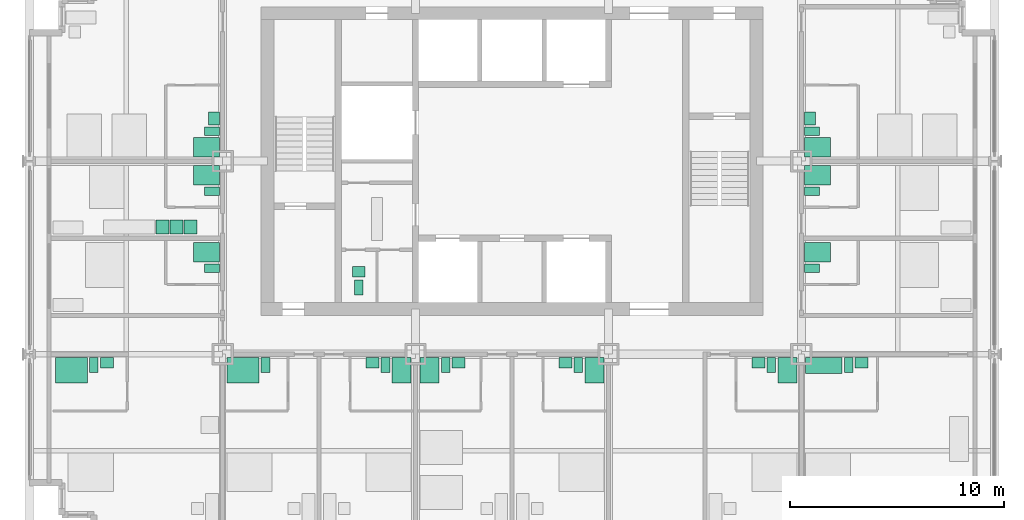
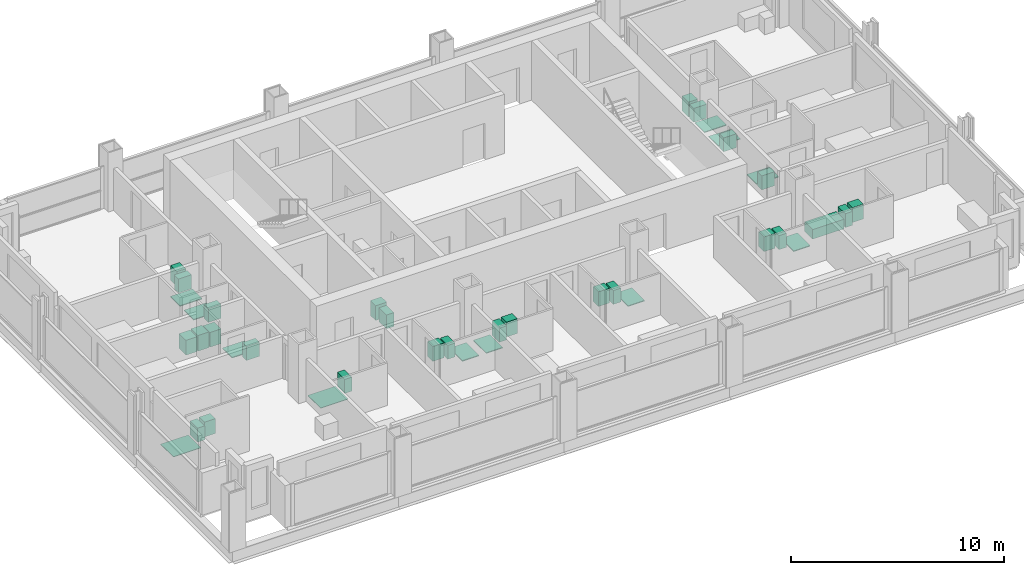
# One storey, part 12 of 13: 36 sanitary terminals, 3 electric appliances.
"""IFC4 building model written with IfcOpenShell, lengths in metres."""

from ifc_helpers import new_model, si_unit, direction, frame, origin, origin_2d, place, context, subcontext, project, spatial, rectangle, extrude, element, save


model = new_model("IFC4")

# Units and contexts
model_context = context("Model", 3, precision=1e-05, world=origin(), true_north=direction((0.0, 1.0)))
body_context = subcontext(model_context, "Body", "Model", "MODEL_VIEW")
ifc_project = project(units=[si_unit("LENGTHUNIT", "METRE"), si_unit("AREAUNIT", "SQUARE_METRE"), si_unit("VOLUMEUNIT", "CUBIC_METRE"), si_unit("PLANEANGLEUNIT", "RADIAN"), si_unit("MASSUNIT", "GRAM", prefix="KILO")], contexts=[model_context])

# Site, building, storey
site_placement = place(None, origin())
site = spatial("IfcSite", under=ifc_project, at=site_placement, CompositionType="ELEMENT")
building_placement = place(site_placement, origin())
building = spatial("IfcBuilding", under=site, at=building_placement, Name="Loomwork Tower", CompositionType="ELEMENT")
storey_placement = place(building_placement, frame((0.0, 0.0, 163.800048828125)))
storey = spatial("IfcBuildingStorey", under=building, at=storey_placement, Name="L44", CompositionType="ELEMENT", Elevation=163.800048828125)

# Sanitary terminals
sanitary_terminal_1_placement = place(storey_placement, frame((1.949951171875, 8.25, 0.0), z_axis=(0.0, 0.0, 1.0), x_axis=(1.0, 0.0, 0.0)))
element("IfcSanitaryTerminal", 1, at=sanitary_terminal_1_placement, inside=storey, Name="Roll-in shower floor L44", PredefinedType="SHOWER", context=body_context, shape_type="SweptSolid", body=[
    extrude(rectangle(XDim=1.5, YDim=1.199951171875, at=origin_2d()), origin(), (0.0, 0.0, 1.0), 0.030029296875),
])
sanitary_terminal_2_placement = place(storey_placement, frame((3.0, 8.5, 0.0), z_axis=(0.0, 0.0, 1.0), x_axis=(1.0, 0.0, 0.0)))
element("IfcSanitaryTerminal", 2, at=sanitary_terminal_2_placement, inside=storey, Name="WC L44", PredefinedType="TOILETPAN", context=body_context, shape_type="SweptSolid", body=[
    extrude(rectangle(XDim=0.39990234375, YDim=0.699951171875, at=origin_2d()), origin(), (0.0, 0.0, 1.0), 0.800048828125),
])
sanitary_terminal_3_placement = place(storey_placement, frame((3.60009765625, 8.60009765625, 0.0), z_axis=(0.0, 0.0, 1.0), x_axis=(1.0, 0.0, 0.0)))
element("IfcSanitaryTerminal", 3, at=sanitary_terminal_3_placement, inside=storey, Name="Basin vanity L44", PredefinedType="WASHHANDBASIN", context=body_context, shape_type="SweptSolid", body=[
    extrude(rectangle(XDim=0.60009765625, YDim=0.5, at=origin_2d()), origin(), (0.0, 0.0, 1.0), 0.85009765625),
])
sanitary_terminal_4_placement = place(storey_placement, frame((9.949951171875, 8.25, 0.0), z_axis=(0.0, 0.0, 1.0), x_axis=(1.0, 0.0, 0.0)))
element("IfcSanitaryTerminal", 4, at=sanitary_terminal_4_placement, inside=storey, Name="Roll-in shower floor L44", PredefinedType="SHOWER", context=body_context, shape_type="SweptSolid", body=[
    extrude(rectangle(XDim=1.5, YDim=1.199951171875, at=origin_2d()), origin(), (0.0, 0.0, 1.0), 0.030029296875),
])
sanitary_terminal_5_placement = place(storey_placement, frame((11.0, 8.5, 0.0), z_axis=(0.0, 0.0, 1.0), x_axis=(1.0, 0.0, 0.0)))
element("IfcSanitaryTerminal", 5, at=sanitary_terminal_5_placement, inside=storey, Name="WC L44", PredefinedType="TOILETPAN", context=body_context, shape_type="SweptSolid", body=[
    extrude(rectangle(XDim=0.39990234375, YDim=0.699951171875, at=origin_2d()), origin(), (0.0, 0.0, 1.0), 0.800048828125),
])
sanitary_terminal_6_placement = place(storey_placement, frame((17.35009765625, 8.25, 0.0), z_axis=(0.0, 0.0, 1.0), x_axis=(1.0, 0.0, 0.0)))
element("IfcSanitaryTerminal", 6, at=sanitary_terminal_6_placement, inside=storey, Name="Shower tray L44", PredefinedType="SHOWER", context=body_context, shape_type="SweptSolid", body=[
    extrude(rectangle(XDim=0.89990234375, YDim=1.199951171875, at=origin_2d()), origin(), (0.0, 0.0, 1.0), 0.050048828125),
])
sanitary_terminal_7_placement = place(storey_placement, frame((16.60009765625, 8.5, 0.0), z_axis=(0.0, 0.0, 1.0), x_axis=(1.0, 0.0, 0.0)))
element("IfcSanitaryTerminal", 7, at=sanitary_terminal_7_placement, inside=storey, Name="WC L44", PredefinedType="TOILETPAN", context=body_context, shape_type="SweptSolid", body=[
    extrude(rectangle(XDim=0.39990234375, YDim=0.699951171875, at=origin_2d()), origin(), (0.0, 0.0, 1.0), 0.800048828125),
])
sanitary_terminal_8_placement = place(storey_placement, frame((16.0, 8.60009765625, 0.0), z_axis=(0.0, 0.0, 1.0), x_axis=(1.0, 0.0, 0.0)))
element("IfcSanitaryTerminal", 8, at=sanitary_terminal_8_placement, inside=storey, Name="Basin vanity L44", PredefinedType="WASHHANDBASIN", context=body_context, shape_type="SweptSolid", body=[
    extrude(rectangle(XDim=0.60009765625, YDim=0.5, at=origin_2d()), origin(), (0.0, 0.0, 1.0), 0.85009765625),
])
sanitary_terminal_9_placement = place(storey_placement, frame((18.64990234375, 8.25, 0.0), z_axis=(0.0, 0.0, 1.0), x_axis=(1.0, 0.0, 0.0)))
element("IfcSanitaryTerminal", 9, at=sanitary_terminal_9_placement, inside=storey, Name="Shower tray L44", PredefinedType="SHOWER", context=body_context, shape_type="SweptSolid", body=[
    extrude(rectangle(XDim=0.89990234375, YDim=1.199951171875, at=origin_2d()), origin(), (0.0, 0.0, 1.0), 0.050048828125),
])
sanitary_terminal_10_placement = place(storey_placement, frame((19.39990234375, 8.5, 0.0), z_axis=(0.0, 0.0, 1.0), x_axis=(1.0, 0.0, 0.0)))
element("IfcSanitaryTerminal", 10, at=sanitary_terminal_10_placement, inside=storey, Name="WC L44", PredefinedType="TOILETPAN", context=body_context, shape_type="SweptSolid", body=[
    extrude(rectangle(XDim=0.39990234375, YDim=0.699951171875, at=origin_2d()), origin(), (0.0, 0.0, 1.0), 0.800048828125),
])
sanitary_terminal_11_placement = place(storey_placement, frame((20.0, 8.60009765625, 0.0), z_axis=(0.0, 0.0, 1.0), x_axis=(1.0, 0.0, 0.0)))
element("IfcSanitaryTerminal", 11, at=sanitary_terminal_11_placement, inside=storey, Name="Basin vanity L44", PredefinedType="WASHHANDBASIN", context=body_context, shape_type="SweptSolid", body=[
    extrude(rectangle(XDim=0.60009765625, YDim=0.5, at=origin_2d()), origin(), (0.0, 0.0, 1.0), 0.85009765625),
])
sanitary_terminal_12_placement = place(storey_placement, frame((26.35009765625, 8.25, 0.0), z_axis=(0.0, 0.0, 1.0), x_axis=(1.0, 0.0, 0.0)))
element("IfcSanitaryTerminal", 12, at=sanitary_terminal_12_placement, inside=storey, Name="Shower tray L44", PredefinedType="SHOWER", context=body_context, shape_type="SweptSolid", body=[
    extrude(rectangle(XDim=0.89990234375, YDim=1.199951171875, at=origin_2d()), origin(), (0.0, 0.0, 1.0), 0.050048828125),
])
sanitary_terminal_13_placement = place(storey_placement, frame((25.60009765625, 8.5, 0.0), z_axis=(0.0, 0.0, 1.0), x_axis=(1.0, 0.0, 0.0)))
element("IfcSanitaryTerminal", 13, at=sanitary_terminal_13_placement, inside=storey, Name="WC L44", PredefinedType="TOILETPAN", context=body_context, shape_type="SweptSolid", body=[
    extrude(rectangle(XDim=0.39990234375, YDim=0.699951171875, at=origin_2d()), origin(), (0.0, 0.0, 1.0), 0.800048828125),
])
sanitary_terminal_14_placement = place(storey_placement, frame((25.0, 8.60009765625, 0.0), z_axis=(0.0, 0.0, 1.0), x_axis=(1.0, 0.0, 0.0)))
element("IfcSanitaryTerminal", 14, at=sanitary_terminal_14_placement, inside=storey, Name="Basin vanity L44", PredefinedType="WASHHANDBASIN", context=body_context, shape_type="SweptSolid", body=[
    extrude(rectangle(XDim=0.60009765625, YDim=0.5, at=origin_2d()), origin(), (0.0, 0.0, 1.0), 0.85009765625),
])
sanitary_terminal_15_placement = place(storey_placement, frame((35.35009765625, 8.25, 0.0), z_axis=(0.0, 0.0, 1.0), x_axis=(1.0, 0.0, 0.0)))
element("IfcSanitaryTerminal", 15, at=sanitary_terminal_15_placement, inside=storey, Name="Shower tray L44", PredefinedType="SHOWER", context=body_context, shape_type="SweptSolid", body=[
    extrude(rectangle(XDim=0.89990234375, YDim=1.199951171875, at=origin_2d()), origin(), (0.0, 0.0, 1.0), 0.050048828125),
])
sanitary_terminal_16_placement = place(storey_placement, frame((34.60009765625, 8.5, 0.0), z_axis=(0.0, 0.0, 1.0), x_axis=(1.0, 0.0, 0.0)))
element("IfcSanitaryTerminal", 16, at=sanitary_terminal_16_placement, inside=storey, Name="WC L44", PredefinedType="TOILETPAN", context=body_context, shape_type="SweptSolid", body=[
    extrude(rectangle(XDim=0.39990234375, YDim=0.699951171875, at=origin_2d()), origin(), (0.0, 0.0, 1.0), 0.800048828125),
])
sanitary_terminal_17_placement = place(storey_placement, frame((34.0, 8.60009765625, 0.0), z_axis=(0.0, 0.0, 1.0), x_axis=(1.0, 0.0, 0.0)))
element("IfcSanitaryTerminal", 17, at=sanitary_terminal_17_placement, inside=storey, Name="Basin vanity L44", PredefinedType="WASHHANDBASIN", context=body_context, shape_type="SweptSolid", body=[
    extrude(rectangle(XDim=0.60009765625, YDim=0.5, at=origin_2d()), origin(), (0.0, 0.0, 1.0), 0.85009765625),
])
sanitary_terminal_18_placement = place(storey_placement, frame((37.050048828125, 8.47509765625, 0.0), z_axis=(0.0, 0.0, 1.0), x_axis=(1.0, 0.0, 0.0)))
element("IfcSanitaryTerminal", 18, at=sanitary_terminal_18_placement, inside=storey, Name="Bath L44", PredefinedType="BATH", context=body_context, shape_type="SweptSolid", body=[
    extrude(rectangle(XDim=1.699951171875, YDim=0.75, at=origin_2d()), origin(), (0.0, 0.0, 1.0), 0.550048828125),
])
sanitary_terminal_19_placement = place(storey_placement, frame((38.199951171875, 8.5, 0.0), z_axis=(0.0, 0.0, 1.0), x_axis=(1.0, 0.0, 0.0)))
element("IfcSanitaryTerminal", 19, at=sanitary_terminal_19_placement, inside=storey, Name="WC L44", PredefinedType="TOILETPAN", context=body_context, shape_type="SweptSolid", body=[
    extrude(rectangle(XDim=0.39990234375, YDim=0.699951171875, at=origin_2d()), origin(), (0.0, 0.0, 1.0), 0.800048828125),
])
sanitary_terminal_20_placement = place(storey_placement, frame((38.800048828125, 8.60009765625, 0.0), z_axis=(0.0, 0.0, 1.0), x_axis=(1.0, 0.0, 0.0)))
element("IfcSanitaryTerminal", 20, at=sanitary_terminal_20_placement, inside=storey, Name="Basin vanity L44", PredefinedType="WASHHANDBASIN", context=body_context, shape_type="SweptSolid", body=[
    extrude(rectangle(XDim=0.60009765625, YDim=0.5, at=origin_2d()), origin(), (0.0, 0.0, 1.0), 0.85009765625),
])
sanitary_terminal_21_placement = place(storey_placement, frame((8.25, 13.75, 0.0), z_axis=(0.0, 0.0, 1.0), x_axis=(1.0, 0.0, 0.0)))
element("IfcSanitaryTerminal", 21, at=sanitary_terminal_21_placement, inside=storey, Name="Shower tray L44", PredefinedType="SHOWER", context=body_context, shape_type="SweptSolid", body=[
    extrude(rectangle(XDim=1.199951171875, YDim=0.89990234375, at=origin_2d()), origin(), (0.0, 0.0, 1.0), 0.050048828125),
])
sanitary_terminal_22_placement = place(storey_placement, frame((8.5, 13.0, 0.0), z_axis=(0.0, 0.0, 1.0), x_axis=(1.0, 0.0, 0.0)))
element("IfcSanitaryTerminal", 22, at=sanitary_terminal_22_placement, inside=storey, Name="WC L44", PredefinedType="TOILETPAN", context=body_context, shape_type="SweptSolid", body=[
    extrude(rectangle(XDim=0.699951171875, YDim=0.39990234375, at=origin_2d()), origin(), (0.0, 0.0, 1.0), 0.800048828125),
])
sanitary_terminal_23_placement = place(storey_placement, frame((8.25, 17.35009765625, 0.0), z_axis=(0.0, 0.0, 1.0), x_axis=(1.0, 0.0, 0.0)))
element("IfcSanitaryTerminal", 23, at=sanitary_terminal_23_placement, inside=storey, Name="Shower tray L44", PredefinedType="SHOWER", context=body_context, shape_type="SweptSolid", body=[
    extrude(rectangle(XDim=1.199951171875, YDim=0.89990234375, at=origin_2d()), origin(), (0.0, 0.0, 1.0), 0.050048828125),
])
sanitary_terminal_24_placement = place(storey_placement, frame((8.5, 16.60009765625, 0.0), z_axis=(0.0, 0.0, 1.0), x_axis=(1.0, 0.0, 0.0)))
element("IfcSanitaryTerminal", 24, at=sanitary_terminal_24_placement, inside=storey, Name="WC L44", PredefinedType="TOILETPAN", context=body_context, shape_type="SweptSolid", body=[
    extrude(rectangle(XDim=0.699951171875, YDim=0.39990234375, at=origin_2d()), origin(), (0.0, 0.0, 1.0), 0.800048828125),
])

# Electric appliances
electric_appliance_1_placement = place(storey_placement, frame((7.5, 14.925048828125, 0.0), z_axis=(0.0, 0.0, 1.0), x_axis=(1.0, 0.0, 0.0)))
element("IfcElectricAppliance", 25, at=electric_appliance_1_placement, inside=storey, Name="Refrigerator L44", PredefinedType="REFRIGERATOR", context=body_context, shape_type="SweptSolid", body=[
    extrude(rectangle(XDim=0.60009765625, YDim=0.64990234375, at=origin_2d()), origin(), (0.0, 0.0, 1.0), 0.85009765625),
])
electric_appliance_2_placement = place(storey_placement, frame((6.85009765625, 14.925048828125, 0.0), z_axis=(0.0, 0.0, 1.0), x_axis=(1.0, 0.0, 0.0)))
element("IfcElectricAppliance", 26, at=electric_appliance_2_placement, inside=storey, Name="Two-ring cooktop and oven L44", PredefinedType="ELECTRICCOOKER", context=body_context, shape_type="SweptSolid", body=[
    extrude(rectangle(XDim=0.60009765625, YDim=0.64990234375, at=origin_2d()), origin(), (0.0, 0.0, 1.0), 0.89990234375),
])
electric_appliance_3_placement = place(storey_placement, frame((6.199951171875, 14.925048828125, 0.0), z_axis=(0.0, 0.0, 1.0), x_axis=(1.0, 0.0, 0.0)))
element("IfcElectricAppliance", 27, at=electric_appliance_3_placement, inside=storey, Name="Dishwasher L44", PredefinedType="DISHWASHER", context=body_context, shape_type="SweptSolid", body=[
    extrude(rectangle(XDim=0.60009765625, YDim=0.64990234375, at=origin_2d()), origin(), (0.0, 0.0, 1.0), 0.85009765625),
])

# Sanitary terminals
sanitary_terminal_25_placement = place(storey_placement, frame((8.25, 18.64990234375, 0.0), z_axis=(0.0, 0.0, 1.0), x_axis=(1.0, 0.0, 0.0)))
element("IfcSanitaryTerminal", 28, at=sanitary_terminal_25_placement, inside=storey, Name="Shower tray L44", PredefinedType="SHOWER", context=body_context, shape_type="SweptSolid", body=[
    extrude(rectangle(XDim=1.199951171875, YDim=0.89990234375, at=origin_2d()), origin(), (0.0, 0.0, 1.0), 0.050048828125),
])
sanitary_terminal_26_placement = place(storey_placement, frame((8.5, 19.39990234375, 0.0), z_axis=(0.0, 0.0, 1.0), x_axis=(1.0, 0.0, 0.0)))
element("IfcSanitaryTerminal", 29, at=sanitary_terminal_26_placement, inside=storey, Name="WC L44", PredefinedType="TOILETPAN", context=body_context, shape_type="SweptSolid", body=[
    extrude(rectangle(XDim=0.699951171875, YDim=0.39990234375, at=origin_2d()), origin(), (0.0, 0.0, 1.0), 0.800048828125),
])
sanitary_terminal_27_placement = place(storey_placement, frame((8.60009765625, 20.0, 0.0), z_axis=(0.0, 0.0, 1.0), x_axis=(1.0, 0.0, 0.0)))
element("IfcSanitaryTerminal", 30, at=sanitary_terminal_27_placement, inside=storey, Name="Basin vanity L44", PredefinedType="WASHHANDBASIN", context=body_context, shape_type="SweptSolid", body=[
    extrude(rectangle(XDim=0.5, YDim=0.60009765625, at=origin_2d()), origin(), (0.0, 0.0, 1.0), 0.85009765625),
])
sanitary_terminal_28_placement = place(storey_placement, frame((36.75, 13.75, 0.0), z_axis=(0.0, 0.0, 1.0), x_axis=(1.0, 0.0, 0.0)))
element("IfcSanitaryTerminal", 31, at=sanitary_terminal_28_placement, inside=storey, Name="Shower tray L44", PredefinedType="SHOWER", context=body_context, shape_type="SweptSolid", body=[
    extrude(rectangle(XDim=1.199951171875, YDim=0.89990234375, at=origin_2d()), origin(), (0.0, 0.0, 1.0), 0.050048828125),
])
sanitary_terminal_29_placement = place(storey_placement, frame((36.5, 13.0, 0.0), z_axis=(0.0, 0.0, 1.0), x_axis=(1.0, 0.0, 0.0)))
element("IfcSanitaryTerminal", 32, at=sanitary_terminal_29_placement, inside=storey, Name="WC L44", PredefinedType="TOILETPAN", context=body_context, shape_type="SweptSolid", body=[
    extrude(rectangle(XDim=0.699951171875, YDim=0.39990234375, at=origin_2d()), origin(), (0.0, 0.0, 1.0), 0.800048828125),
])
sanitary_terminal_30_placement = place(storey_placement, frame((36.75, 17.35009765625, 0.0), z_axis=(0.0, 0.0, 1.0), x_axis=(1.0, 0.0, 0.0)))
element("IfcSanitaryTerminal", 33, at=sanitary_terminal_30_placement, inside=storey, Name="Shower tray L44", PredefinedType="SHOWER", context=body_context, shape_type="SweptSolid", body=[
    extrude(rectangle(XDim=1.199951171875, YDim=0.89990234375, at=origin_2d()), origin(), (0.0, 0.0, 1.0), 0.050048828125),
])
sanitary_terminal_31_placement = place(storey_placement, frame((36.5, 16.60009765625, 0.0), z_axis=(0.0, 0.0, 1.0), x_axis=(1.0, 0.0, 0.0)))
element("IfcSanitaryTerminal", 34, at=sanitary_terminal_31_placement, inside=storey, Name="WC L44", PredefinedType="TOILETPAN", context=body_context, shape_type="SweptSolid", body=[
    extrude(rectangle(XDim=0.699951171875, YDim=0.39990234375, at=origin_2d()), origin(), (0.0, 0.0, 1.0), 0.800048828125),
])
sanitary_terminal_32_placement = place(storey_placement, frame((36.75, 18.64990234375, 0.0), z_axis=(0.0, 0.0, 1.0), x_axis=(1.0, 0.0, 0.0)))
element("IfcSanitaryTerminal", 35, at=sanitary_terminal_32_placement, inside=storey, Name="Shower tray L44", PredefinedType="SHOWER", context=body_context, shape_type="SweptSolid", body=[
    extrude(rectangle(XDim=1.199951171875, YDim=0.89990234375, at=origin_2d()), origin(), (0.0, 0.0, 1.0), 0.050048828125),
])
sanitary_terminal_33_placement = place(storey_placement, frame((36.5, 19.39990234375, 0.0), z_axis=(0.0, 0.0, 1.0), x_axis=(1.0, 0.0, 0.0)))
element("IfcSanitaryTerminal", 36, at=sanitary_terminal_33_placement, inside=storey, Name="WC L44", PredefinedType="TOILETPAN", context=body_context, shape_type="SweptSolid", body=[
    extrude(rectangle(XDim=0.699951171875, YDim=0.39990234375, at=origin_2d()), origin(), (0.0, 0.0, 1.0), 0.800048828125),
])
sanitary_terminal_34_placement = place(storey_placement, frame((36.39990234375, 20.0, 0.0), z_axis=(0.0, 0.0, 1.0), x_axis=(1.0, 0.0, 0.0)))
element("IfcSanitaryTerminal", 37, at=sanitary_terminal_34_placement, inside=storey, Name="Basin vanity L44", PredefinedType="WASHHANDBASIN", context=body_context, shape_type="SweptSolid", body=[
    extrude(rectangle(XDim=0.5, YDim=0.60009765625, at=origin_2d()), origin(), (0.0, 0.0, 1.0), 0.85009765625),
])
sanitary_terminal_35_placement = place(storey_placement, frame((15.35009765625, 12.10009765625, 0.0), z_axis=(0.0, 0.0, 1.0), x_axis=(1.0, 0.0, 0.0)))
element("IfcSanitaryTerminal", 38, at=sanitary_terminal_35_placement, inside=storey, Name="WC L44", PredefinedType="TOILETPAN", context=body_context, shape_type="SweptSolid", body=[
    extrude(rectangle(XDim=0.39990234375, YDim=0.699951171875, at=origin_2d()), origin(), (0.0, 0.0, 1.0), 0.800048828125),
])
sanitary_terminal_36_placement = place(storey_placement, frame((15.35009765625, 12.85009765625, 0.0), z_axis=(0.0, 0.0, 1.0), x_axis=(1.0, 0.0, 0.0)))
element("IfcSanitaryTerminal", 39, at=sanitary_terminal_36_placement, inside=storey, Name="Basin L44", PredefinedType="WASHHANDBASIN", context=body_context, shape_type="SweptSolid", body=[
    extrude(rectangle(XDim=0.60009765625, YDim=0.5, at=origin_2d()), origin(), (0.0, 0.0, 1.0), 0.85009765625),
])

save(model, "model.ifc")
